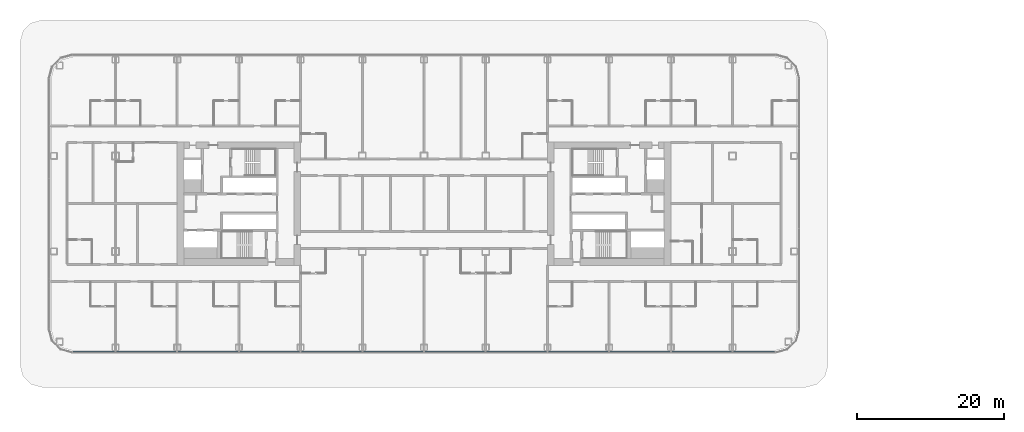
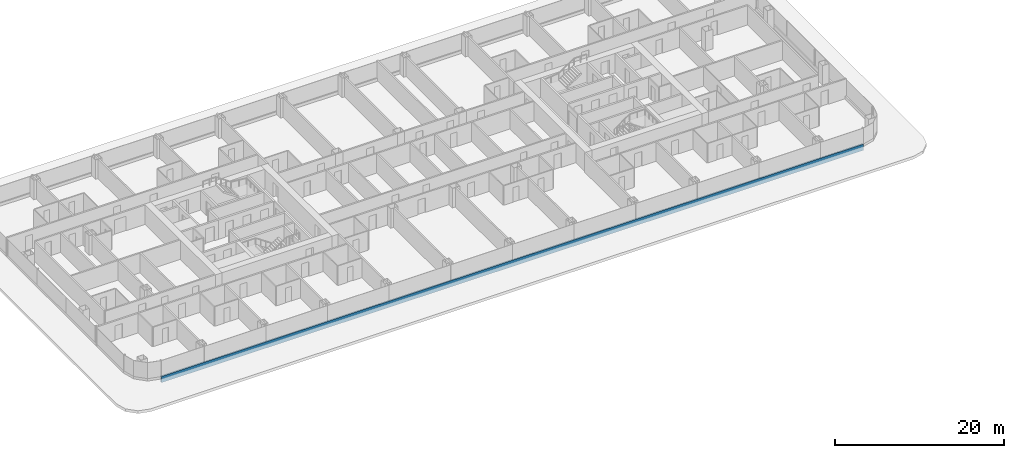
# One storey, part 6 of 42: 1 member, 1 element without a shape of its own.
"""IFC4 building model written with IfcOpenShell, lengths in metres."""

from ifc_helpers import new_model, si_unit, direction, frame, origin, origin_2d, place, context, subcontext, project, spatial, rectangle, extrude, material, layer, layer_set, material_profile, profile_set, type_object, element, aggregate, save


model = new_model("IFC4")

# Units and contexts
model_context = context("Model", 3, precision=1e-05, world=origin(), true_north=direction((0.0, 1.0)))
body_context = subcontext(model_context, "Body", "Model", "MODEL_VIEW")
ifc_project = project(units=[si_unit("LENGTHUNIT", "METRE"), si_unit("AREAUNIT", "SQUARE_METRE"), si_unit("VOLUMEUNIT", "CUBIC_METRE"), si_unit("PLANEANGLEUNIT", "RADIAN"), si_unit("MASSUNIT", "GRAM", prefix="KILO")], contexts=[model_context])

# Site, building, storey
site_placement = place(None, origin())
site = spatial("IfcSite", under=ifc_project, at=site_placement, CompositionType="ELEMENT")
building_placement = place(site_placement, origin())
building = spatial("IfcBuilding", under=site, at=building_placement, Name="Hakoniwa Tower and Hamabe Station Hall", CompositionType="ELEMENT")
storey_placement = place(building_placement, frame((0.0, 0.0, 19.800048828125)))
storey = spatial("IfcBuildingStorey", under=building, at=storey_placement, Name="L04", CompositionType="ELEMENT", Elevation=19.800048828125)

# Curtain wall, member
ifc_material_1 = material(Name="Dark low-e laminated glass", Category="glass")
ifc_layer = layer(ifc_material_1, 0.199951171875)
ifc_layer_set = layer_set([ifc_layer], Name="CW-1 UNITISED GUEST")
curtain_wall_type = type_object("IfcCurtainWallType", Name="CW-1 UNITISED GUEST", PredefinedType="NOTDEFINED", material=ifc_layer_set)
curtain_wall_placement = place(storey_placement, origin())
curtain_wall = element("IfcCurtainWall", 1, at=curtain_wall_placement, inside=storey, type_object=curtain_wall_type, Name="CW-1 curtain wall", PredefinedType="NOTDEFINED")
ifc_material_2 = material(Name="Aluminium 6063-T5 black anodised", Category="aluminium")
ifc_material_profile = material_profile(ifc_material_2, rectangle(XDim=0.199951171875, YDim=0.89990234375, at=origin_2d()), Name="CW SLAB-EDGE BAND 900X200")
ifc_profile_set = profile_set([ifc_material_profile], Name="Aluminium 6063-T5 black anodised")
member_type = type_object("IfcMemberType", Name="CW SLAB-EDGE BAND 900X200", PredefinedType="USERDEFINED", material=ifc_profile_set)
member_placement = place(storey_placement, frame((-47.839599609375, -20.199951171875, -0.10009765625), z_axis=(1.0, 0.0, 0.0), x_axis=(0.0, 1.0, 0.0)))
member = element("IfcMember", 2, at=member_placement, type_object=member_type, Name="CW-1 transom", ObjectType="TRANSOM", PredefinedType="USERDEFINED", context=body_context, shape_type="SweptSolid", body=[
    extrude(rectangle(XDim=0.199951171875, YDim=0.89990234375, at=origin_2d()), origin(), (0.0, 0.0, 1.0), 95.67919921875),
])
aggregate(curtain_wall, [member])

save(model, "model.ifc")
